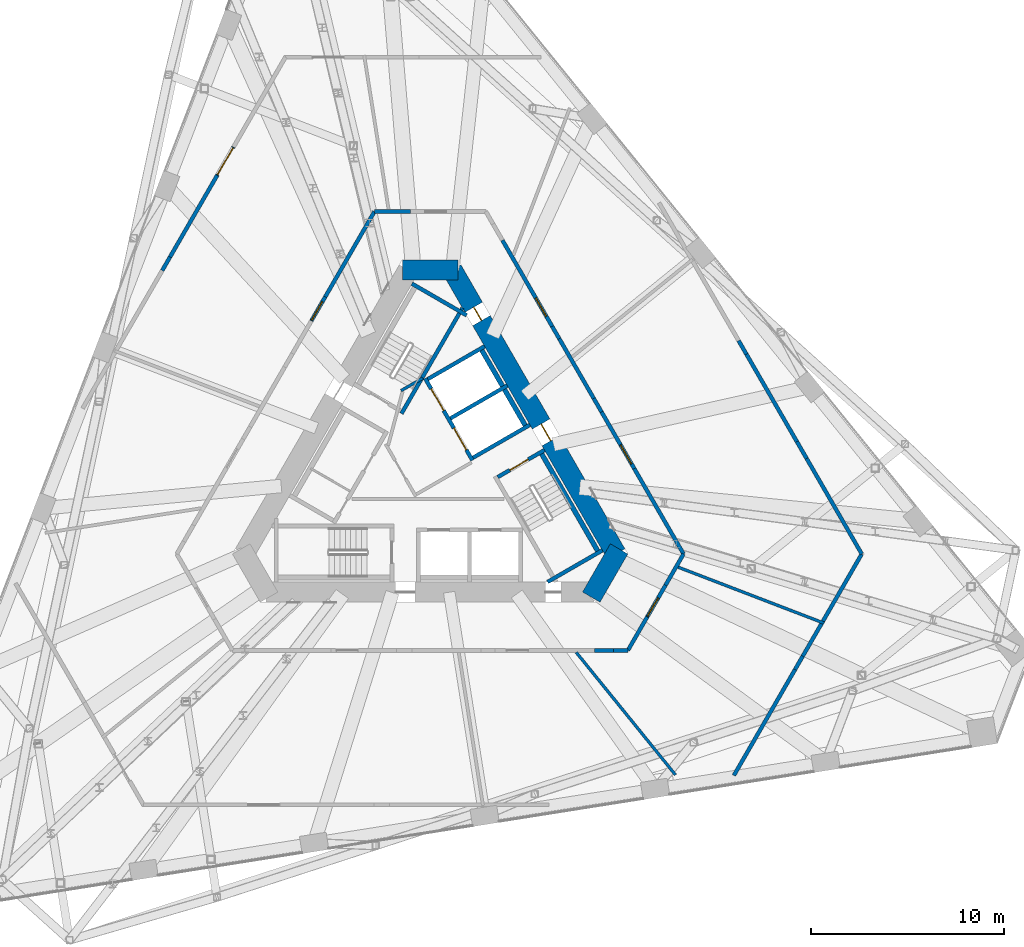
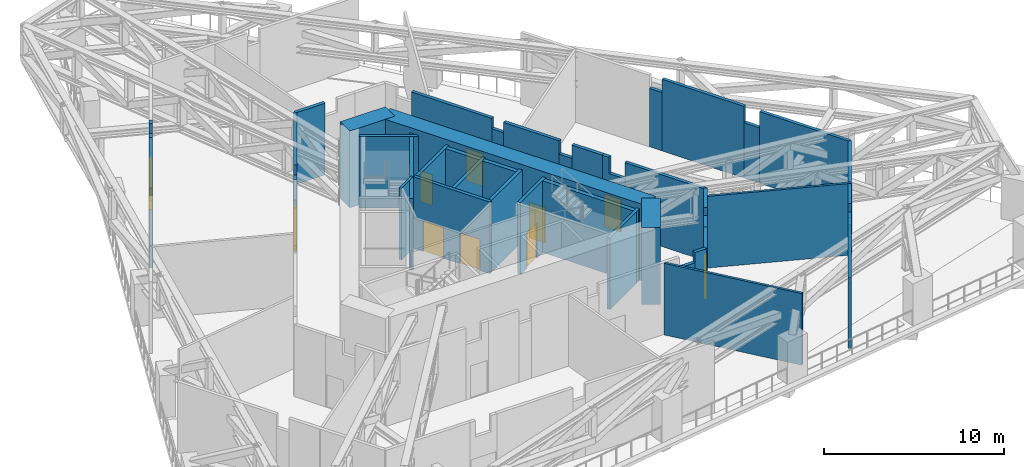
# One storey, part 12 of 20: 41 walls, 10 doors, 10 openings.
"""IFC4 building model written with IfcOpenShell, lengths in metres."""

from ifc_helpers import new_model, si_unit, direction, frame, frame_2d, origin, place, context, subcontext, project, spatial, polyline, rectangle, outline, extrude, material, layer, layer_set, type_object, element, fill, save


model = new_model("IFC4")

# Units and contexts
model_context = context("Model", 3, precision=1e-05, world=origin(), true_north=direction((0.0, 1.0)))
body_context = subcontext(model_context, "Body", "Model", "MODEL_VIEW")
ifc_project = project(units=[si_unit("LENGTHUNIT", "METRE"), si_unit("AREAUNIT", "SQUARE_METRE"), si_unit("VOLUMEUNIT", "CUBIC_METRE"), si_unit("PLANEANGLEUNIT", "RADIAN"), si_unit("MASSUNIT", "GRAM", prefix="KILO")], contexts=[model_context])

# Site, building, storey
site_placement = place(None, origin())
site = spatial("IfcSite", under=ifc_project, at=site_placement, CompositionType="ELEMENT")
building_placement = place(site_placement, origin())
building = spatial("IfcBuilding", under=site, at=building_placement, Name="Tramontana Tower", CompositionType="ELEMENT")
storey_placement = place(building_placement, frame((0.0, 0.0, 83.199951171875)))
storey = spatial("IfcBuildingStorey", under=building, at=storey_placement, Name="L18", CompositionType="ELEMENT", Elevation=83.199951171875)

# Walls
ifc_material_1 = material(Name="Concrete 70 MPa", Category="concrete")
ifc_layer_1 = layer(ifc_material_1, 1.050048828125)
ifc_layer_set_1 = layer_set([ifc_layer_1], Name="Core wall 1050 70 MPa")
wall_type_1 = type_object("IfcWallType", Name="Core wall 1050 70 MPa", PredefinedType="SHEAR", material=ifc_layer_set_1)
for number, where, z_axis, x_axis, name in (
    (1, (1.443359375, 10.47509765625, 0.0), (0.0, 0.0, 1.0), (-1.0, 0.0, 0.0), "Core wall C0 L18"),
    (2, (8.349853515625, -6.487548828125, 0.0), (0.0, 0.0, 1.0), (0.499995765644, 0.866027848477, 0.0), "Core wall C4 L18"),
):
    element("IfcWall", number, at=place(storey_placement, frame(where, z_axis=z_axis, x_axis=x_axis)), inside=storey, type_object=wall_type_1, Name=name, PredefinedType="SHEAR", context=body_context, shape_type="SweptSolid", body=[
        extrude(rectangle(XDim=2.88671875, YDim=1.050048828125, at=frame_2d((1.443359375, 0.0))), origin(), (0.0, 0.0, 1.0), 5.199951171875),
    ])

# Wall, openings, doors
wall_1_placement = place(storey_placement, frame((9.6416015625, -4.25, 0.0), z_axis=(0.0, 0.0, 1.0), x_axis=(-0.499985955615, 0.866033512162, 0.0)))
wall_1 = element("IfcWall", 3, at=wall_1_placement, inside=storey, type_object=wall_type_1, Name="Core wall C5 L18", PredefinedType="SHEAR", context=body_context, shape_type="SweptSolid", body=[
    extrude(rectangle(XDim=17.0029296875, YDim=1.050048828125, at=frame_2d((8.50146484375, 0.0))), origin(), (0.0, 0.0, 1.0), 5.199951171875),
])
opening_1_placement = place(wall_1_placement, frame((6.7763671875, 0.0, 0.0)))
opening_1 = element("IfcOpeningElement", 4, at=opening_1_placement, cuts=wall_1, Name="Opening RG3", PredefinedType="OPENING", context=body_context, shape_type="SweptSolid", body=[
    extrude(rectangle(XDim=1.0, YDim=2.39990234375, at=frame_2d((0.5, 1.199951171875))), frame((0.0, 0.534912109375, 0.0), z_axis=(0.0, -1.0, 0.0), x_axis=(1.0, 0.0, 0.0)), (0.0, 0.0, 1.0), 1.070068359375),
])
opening_2_placement = place(wall_1_placement, frame((13.966796875, 0.0, 0.0)))
opening_2 = element("IfcOpeningElement", 5, at=opening_2_placement, cuts=wall_1, Name="Opening PD3", PredefinedType="OPENING", context=body_context, shape_type="SweptSolid", body=[
    extrude(rectangle(XDim=0.800048828125, YDim=2.10009765625, at=frame_2d((0.39990234375, 1.050048828125))), frame((0.0, 0.534912109375, 0.0), z_axis=(0.0, -1.0, 0.0), x_axis=(1.0, 0.0, 0.0)), (0.0, 0.0, 1.0), 1.070068359375),
])
ifc_material_2 = material(Name="Painted steel", Category="steel")
door_type_1 = type_object("IfcDoorType", Name="CUPBOARD DOOR 800", OperationType="SINGLE_SWING_LEFT", PredefinedType="DOOR", material=ifc_material_2)
door_1_placement = place(opening_2_placement, origin())
door_1 = element("IfcDoor", 6, at=door_1_placement, inside=storey, type_object=door_type_1, Name="Door PD3", OperationType="SINGLE_SWING_RIGHT", OverallHeight=2.10009765625, OverallWidth=0.800048828125, PredefinedType="DOOR", context=body_context, shape_type="SweptSolid", body=[
    extrude(rectangle(XDim=0.800048828125, YDim=2.10009765625, at=frame_2d((0.39990234375, 1.050048828125))), frame((0.0, 0.02490234375, 0.0), z_axis=(0.0, -1.0, 0.0), x_axis=(1.0, 0.0, 0.0)), (0.0, 0.0, 1.0), 0.050048828125),
])
fill(opening_2, door_1)
ifc_material_3 = material(Name="Painted steel", Category="steel")
door_type_2 = type_object("IfcDoorType", Name="RING DOOR 1000", OperationType="SINGLE_SWING_LEFT", PredefinedType="DOOR", material=ifc_material_3)
door_2_placement = place(opening_1_placement, origin())
door_2 = element("IfcDoor", 7, at=door_2_placement, inside=storey, type_object=door_type_2, Name="Door RG3", OperationType="SINGLE_SWING_RIGHT", OverallHeight=2.39990234375, OverallWidth=1.0, PredefinedType="DOOR", context=body_context, shape_type="SweptSolid", body=[
    extrude(rectangle(XDim=1.0, YDim=2.39990234375, at=frame_2d((0.5, 1.199951171875))), frame((0.0, 0.02490234375, 0.0), z_axis=(0.0, -1.0, 0.0), x_axis=(1.0, 0.0, 0.0)), (0.0, 0.0, 1.0), 0.050048828125),
])
fill(opening_1, door_2)

# Walls
ifc_material_4 = material(Name="Blockwork", Category="masonry")
ifc_layer_2 = layer(ifc_material_4, 0.199951171875)
ifc_layer_set_2 = layer_set([ifc_layer_2], Name="ENCLOSURE WALL 200")
wall_type_2 = type_object("IfcWallType", Name="ENCLOSURE WALL 200", PredefinedType="SOLIDWALL", material=ifc_layer_set_2)
wall_2_placement = place(storey_placement, frame((15.98974609375, 6.80517578125, 0.0), z_axis=(0.0, 0.0, 1.0), x_axis=(0.499809598504, -0.866135304236, 0.0)))
element("IfcWall", 8, at=wall_2_placement, inside=storey, type_object=wall_type_2, Name="Wall enc0-1", PredefinedType="SOLIDWALL", context=body_context, shape_type="SweptSolid", body=[
    extrude(rectangle(XDim=0.808349609375, YDim=0.199951171875, at=frame_2d((0.404296875, 0.0))), origin(), (0.0, 0.0, 1.0), 3.949951171875),
])
wall_3_placement = place(storey_placement, frame((16.393798828125, 6.10498046875, 0.0), z_axis=(0.0, 0.0, 1.0), x_axis=(0.500017221754, -0.866015460572, 0.0)))
element("IfcWall", 9, at=wall_3_placement, inside=storey, type_object=wall_type_2, Name="Wall enc0-2", PredefinedType="SOLIDWALL", context=body_context, shape_type="SweptSolid", body=[
    extrude(rectangle(XDim=5.233642578125, YDim=0.199951171875, at=frame_2d((2.61669921875, 0.0))), origin(), (0.0, 0.0, 1.0), 4.85009765625),
])
wall_4_placement = place(storey_placement, frame((19.0107421875, 1.572509765625, 0.0), z_axis=(0.0, 0.0, 1.0), x_axis=(0.499869422298, -0.866100779731, 0.0)))
element("IfcWall", 10, at=wall_4_placement, inside=storey, type_object=wall_type_2, Name="Wall enc0-3", PredefinedType="SOLIDWALL", context=body_context, shape_type="SweptSolid", body=[
    extrude(rectangle(XDim=1.006591796875, YDim=0.199951171875, at=frame_2d((0.50341796875, 0.0))), origin(), (0.0, 0.0, 1.0), 3.75),
])
wall_5_placement = place(storey_placement, frame((19.513916015625, 0.70068359375, 0.0), z_axis=(0.0, 0.0, 1.0), x_axis=(0.50001573457, -0.866016319236, 0.0)))
element("IfcWall", 11, at=wall_5_placement, inside=storey, type_object=wall_type_2, Name="Wall enc0-4", PredefinedType="SOLIDWALL", context=body_context, shape_type="SweptSolid", body=[
    extrude(rectangle(XDim=5.716552734375, YDim=0.199951171875, at=frame_2d((2.8583984375, 0.0))), origin(), (0.0, 0.0, 1.0), 4.85009765625),
])
wall_6_placement = place(storey_placement, frame((22.372314453125, -4.25, 0.0), z_axis=(0.0, 0.0, 1.0), x_axis=(-0.499991792115, -0.866030142557, 0.0)))
element("IfcWall", 12, at=wall_6_placement, inside=storey, type_object=wall_type_2, Name="Wall enc1-0", PredefinedType="SOLIDWALL", context=body_context, shape_type="SweptSolid", body=[
    extrude(rectangle(XDim=6.1201171875, YDim=0.199951171875, at=frame_2d((3.06005859375, 0.0))), origin(), (0.0, 0.0, 1.0), 4.85009765625),
])
wall_7_placement = place(storey_placement, frame((19.312255859375, -9.55029296875, 0.0), z_axis=(0.0, 0.0, 1.0), x_axis=(-0.499942357345, -0.866058681229, 0.0)))
element("IfcWall", 13, at=wall_7_placement, inside=storey, type_object=wall_type_2, Name="Wall enc1-1", PredefinedType="SOLIDWALL", context=body_context, shape_type="SweptSolid", body=[
    extrude(rectangle(XDim=0.80078125, YDim=0.199951171875, at=frame_2d((0.400390625, 0.0))), origin(), (0.0, 0.0, 1.0), 3.949951171875),
])
wall_8_placement = place(storey_placement, frame((18.911865234375, -10.243896484375, 0.0), z_axis=(0.0, 0.0, 1.0), x_axis=(-0.500018208694, -0.866014890735, 0.0)))
element("IfcWall", 14, at=wall_8_placement, inside=storey, type_object=wall_type_2, Name="Wall enc1-2", PredefinedType="SOLIDWALL", context=body_context, shape_type="SweptSolid", body=[
    extrude(rectangle(XDim=6.335693359375, YDim=0.199951171875, at=frame_2d((3.16796875, 0.0))), origin(), (0.0, 0.0, 1.0), 4.85009765625),
])
wall_9_placement = place(storey_placement, frame((-13.88818359375, 10.44482421875, 0.0), z_axis=(0.0, 0.0, 1.0), x_axis=(0.499809598504, 0.866135304236, 0.0)))
element("IfcWall", 15, at=wall_9_placement, inside=storey, type_object=wall_type_2, Name="Wall enc4-1", PredefinedType="SOLIDWALL", context=body_context, shape_type="SweptSolid", body=[
    extrude(rectangle(XDim=0.808349609375, YDim=0.199951171875, at=frame_2d((0.404296875, 0.0))), origin(), (0.0, 0.0, 1.0), 3.949951171875),
])
wall_10_placement = place(storey_placement, frame((-13.484130859375, 11.14501953125, 0.0), z_axis=(0.0, 0.0, 1.0), x_axis=(0.500012559894, 0.866018152205, 0.0)))
element("IfcWall", 16, at=wall_10_placement, inside=storey, type_object=wall_type_2, Name="Wall enc4-2", PredefinedType="SOLIDWALL", context=body_context, shape_type="SweptSolid", body=[
    extrude(rectangle(XDim=4.880615234375, YDim=0.199951171875, at=frame_2d((2.4404296875, 0.0))), origin(), (0.0, 0.0, 1.0), 4.85009765625),
])

# Wall, opening, door
wall_11_placement = place(storey_placement, frame((-11.043701171875, 15.371826171875, 0.0), z_axis=(0.0, 0.0, 1.0), x_axis=(0.500062241894, 0.865989465428, 0.0)))
wall_11 = element("IfcWall", 17, at=wall_11_placement, inside=storey, type_object=wall_type_2, Name="Wall enc4-3", PredefinedType="SOLIDWALL", context=body_context, shape_type="SweptSolid", body=[
    extrude(outline(polyline([(0.0, 0.0), (1.699951171875, 0.0), (1.699951171875, 4.85009765625), (1.359619140625, 4.85009765625), (1.359619140625, 3.75), (0.35302734375, 3.75), (0.35302734375, 4.85009765625), (0.0, 4.85009765625), (0.0, 0.0)])), frame((0.0, 0.10009765625, 0.0), z_axis=(0.0, -1.0, 0.0), x_axis=(1.0, 0.0, 0.0)), (0.0, 0.0, 1.0), 0.199951171875),
])
opening_3_placement = place(wall_11_placement, frame((0.050048828125, 0.0, 0.0)))
opening_3 = element("IfcOpeningElement", 18, at=opening_3_placement, cuts=wall_11, Name="Opening L18-10", PredefinedType="OPENING", context=body_context, shape_type="SweptSolid", body=[
    extrude(rectangle(XDim=1.60009765625, YDim=2.300048828125, at=frame_2d((0.800048828125, 1.14990234375))), frame((0.0, 0.10986328125, 0.0), z_axis=(0.0, -1.0, 0.0), x_axis=(1.0, 0.0, 0.0)), (0.0, 0.0, 1.0), 0.219970703125),
])
ifc_material_5 = material(Name="Painted timber", Category="wood")
door_type_3 = type_object("IfcDoorType", Name="DOOR WIDE 1600", OperationType="SINGLE_SWING_LEFT", PredefinedType="DOOR", material=ifc_material_5)
door_3_placement = place(opening_3_placement, origin())
door_3 = element("IfcDoor", 19, at=door_3_placement, inside=storey, type_object=door_type_3, Name="Door L18-10", OperationType="DOUBLE_DOOR_SINGLE_SWING", OverallHeight=2.300048828125, OverallWidth=1.60009765625, PredefinedType="DOOR", context=body_context, shape_type="SweptSolid", body=[
    extrude(rectangle(XDim=1.60009765625, YDim=2.300048828125, at=frame_2d((0.800048828125, 1.14990234375))), frame((0.0, 0.02490234375, 0.0), z_axis=(0.0, -1.0, 0.0), x_axis=(1.0, 0.0, 0.0)), (0.0, 0.0, 1.0), 0.050048828125),
])
fill(opening_3, door_3)

ifc_material_6 = material(Name="Blockwork", Category="masonry")
ifc_layer_3 = layer(ifc_material_6, 0.199951171875)
ifc_layer_set_3 = layer_set([ifc_layer_3], Name="ENTRY WALL 200")
wall_type_3 = type_object("IfcWallType", Name="ENTRY WALL 200", PredefinedType="SOLIDWALL", material=ifc_layer_set_3)
wall_12_placement = place(storey_placement, frame((3.747314453125, 12.009521484375, 0.0), z_axis=(0.0, 0.0, 1.0), x_axis=(0.500001317485, -0.866024643133, 0.0)))
wall_12 = element("IfcWall", 20, at=wall_12_placement, inside=storey, type_object=wall_type_3, Name="Wall ew0-2", PredefinedType="SOLIDWALL", context=body_context, shape_type="SweptSolid", body=[
    extrude(rectangle(XDim=5.1533203125, YDim=0.199951171875, at=frame_2d((2.57666015625, 0.0))), origin(), (0.0, 0.0, 1.0), 4.85009765625),
])
opening_4_placement = place(wall_12_placement, frame((3.45068359375, 0.0, 0.0)))
opening_4 = element("IfcOpeningElement", 21, at=opening_4_placement, cuts=wall_12, Name="Opening L18-08", PredefinedType="OPENING", context=body_context, shape_type="SweptSolid", body=[
    extrude(rectangle(XDim=1.10009765625, YDim=2.199951171875, at=frame_2d((0.550048828125, 1.10009765625))), frame((0.0, 0.10986328125, 0.0), z_axis=(0.0, -1.0, 0.0), x_axis=(1.0, 0.0, 0.0)), (0.0, 0.0, 1.0), 0.219970703125),
])
ifc_material_7 = material(Name="Painted steel", Category="steel")
door_type_4 = type_object("IfcDoorType", Name="PLANT DOOR 1100", OperationType="SINGLE_SWING_LEFT", PredefinedType="DOOR", material=ifc_material_7)
door_4_placement = place(opening_4_placement, origin())
door_4 = element("IfcDoor", 22, at=door_4_placement, inside=storey, type_object=door_type_4, Name="Door L18-08", OperationType="SINGLE_SWING_RIGHT", OverallHeight=2.199951171875, OverallWidth=1.10009765625, PredefinedType="DOOR", context=body_context, shape_type="SweptSolid", body=[
    extrude(rectangle(XDim=1.10009765625, YDim=2.199951171875, at=frame_2d((0.550048828125, 1.10009765625))), frame((0.0, 0.02490234375, 0.0), z_axis=(0.0, -1.0, 0.0), x_axis=(1.0, 0.0, 0.0)), (0.0, 0.0, 1.0), 0.050048828125),
])
fill(opening_4, door_4)

# Walls
wall_13_placement = place(storey_placement, frame((6.323974609375, 7.546630859375, 0.0), z_axis=(0.0, 0.0, 1.0), x_axis=(0.499885169746, -0.866091690913, 0.0)))
element("IfcWall", 23, at=wall_13_placement, inside=storey, type_object=wall_type_3, Name="Wall ew0-3", PredefinedType="SOLIDWALL", context=body_context, shape_type="SweptSolid", body=[
    extrude(rectangle(XDim=0.736083984375, YDim=0.199951171875, at=frame_2d((0.3681640625, 0.0))), origin(), (0.0, 0.0, 1.0), 4.150146484375),
])
wall_14_placement = place(storey_placement, frame((6.69189453125, 6.9091796875, 0.0), z_axis=(0.0, 0.0, 1.0), x_axis=(0.500029679218, -0.866008267802, 0.0)))
element("IfcWall", 24, at=wall_14_placement, inside=storey, type_object=wall_type_3, Name="Wall ew0-4", PredefinedType="SOLIDWALL", context=body_context, shape_type="SweptSolid", body=[
    extrude(rectangle(XDim=3.576904296875, YDim=0.199951171875, at=frame_2d((1.78857421875, 0.0))), origin(), (0.0, 0.0, 1.0), 4.85009765625),
])
wall_15_placement = place(storey_placement, frame((8.48046875, 3.8115234375, 0.0), z_axis=(0.0, 0.0, 1.0), x_axis=(0.499809598504, -0.866135304236, 0.0)))
element("IfcWall", 25, at=wall_15_placement, inside=storey, type_object=wall_type_3, Name="Wall ew0-5", PredefinedType="SOLIDWALL", context=body_context, shape_type="SweptSolid", body=[
    extrude(rectangle(XDim=0.808349609375, YDim=0.199951171875, at=frame_2d((0.404296875, 0.0))), origin(), (0.0, 0.0, 1.0), 3.949951171875),
])
wall_16_placement = place(storey_placement, frame((8.884521484375, 3.111328125, 0.0), z_axis=(0.0, 0.0, 1.0), x_axis=(0.500061185694, -0.865990075325, 0.0)))
element("IfcWall", 26, at=wall_16_placement, inside=storey, type_object=wall_type_3, Name="Wall ew0-6", PredefinedType="SOLIDWALL", context=body_context, shape_type="SweptSolid", body=[
    extrude(rectangle(XDim=1.954833984375, YDim=0.199951171875, at=frame_2d((0.9775390625, 0.0))), origin(), (0.0, 0.0, 1.0), 4.85009765625),
])

# Wall, opening, door
wall_17_placement = place(storey_placement, frame((9.862060546875, 1.41845703125, 0.0), z_axis=(0.0, 0.0, 1.0), x_axis=(0.500011588718, -0.866018712932, 0.0)))
wall_17 = element("IfcWall", 27, at=wall_17_placement, inside=storey, type_object=wall_type_3, Name="Wall ew0-7", PredefinedType="SOLIDWALL", context=body_context, shape_type="SweptSolid", body=[
    extrude(outline(polyline([(0.0, 0.0), (1.4375, 0.0), (1.437255859375, 3.75), (0.4306640625, 3.75), (0.4306640625, 4.85009765625), (0.0, 4.85009765625), (0.0, 0.0)])), frame((0.0, 0.10009765625, 0.0), z_axis=(0.0, -1.0, 0.0), x_axis=(1.0, 0.0, 0.0)), (0.0, 0.0, 1.0), 0.199951171875),
])
opening_5_placement = place(wall_17_placement, frame((0.050048828125, 0.0, 0.0)))
opening_5 = element("IfcOpeningElement", 28, at=opening_5_placement, cuts=wall_17, Name="Opening L18-07", PredefinedType="OPENING", context=body_context, shape_type="SweptSolid", body=[
    extrude(rectangle(XDim=1.10009765625, YDim=2.199951171875, at=frame_2d((0.550048828125, 1.10009765625))), frame((0.0, 0.10986328125, 0.0), z_axis=(0.0, -1.0, 0.0), x_axis=(1.0, 0.0, 0.0)), (0.0, 0.0, 1.0), 0.219970703125),
])
door_5_placement = place(opening_5_placement, origin())
door_5 = element("IfcDoor", 29, at=door_5_placement, inside=storey, type_object=door_type_4, Name="Door L18-07", OperationType="SINGLE_SWING_LEFT", OverallHeight=2.199951171875, OverallWidth=1.10009765625, PredefinedType="DOOR", context=body_context, shape_type="SweptSolid", body=[
    extrude(rectangle(XDim=1.10009765625, YDim=2.199951171875, at=frame_2d((0.550048828125, 1.10009765625))), frame((0.0, 0.02490234375, 0.0), z_axis=(0.0, -1.0, 0.0), x_axis=(1.0, 0.0, 0.0)), (0.0, 0.0, 1.0), 0.050048828125),
])
fill(opening_5, door_5)

# Walls
wall_18_placement = place(storey_placement, frame((10.580810546875, 0.173583984375, 0.0), z_axis=(0.0, 0.0, 1.0), x_axis=(0.499999658466, -0.866025600969, 0.0)))
element("IfcWall", 30, at=wall_18_placement, inside=storey, type_object=wall_type_3, Name="Wall ew0-8", PredefinedType="SOLIDWALL", context=body_context, shape_type="SweptSolid", body=[
    extrude(rectangle(XDim=5.10791015625, YDim=0.199951171875, at=frame_2d((2.553955078125, 0.0))), origin(), (0.0, 0.0, 1.0), 4.85009765625),
])
wall_19_placement = place(storey_placement, frame((13.134765625, -4.25, 0.0), z_axis=(0.0, 0.0, 1.0), x_axis=(-0.500046767532, -0.865998400854, 0.0)))
element("IfcWall", 31, at=wall_19_placement, inside=storey, type_object=wall_type_3, Name="Wall ew1-0", PredefinedType="SOLIDWALL", context=body_context, shape_type="SweptSolid", body=[
    extrude(rectangle(XDim=1.867919921875, YDim=0.199951171875, at=frame_2d((0.93408203125, 0.0))), origin(), (0.0, 0.0, 1.0), 4.85009765625),
])

# Wall, opening, door
wall_20_placement = place(storey_placement, frame((12.20068359375, -5.86767578125, 0.0), z_axis=(0.0, 0.0, 1.0), x_axis=(-0.499999897272, -0.866025463095, 0.0)))
wall_20 = element("IfcWall", 32, at=wall_20_placement, inside=storey, type_object=wall_type_3, Name="Wall ew1-1", PredefinedType="SOLIDWALL", context=body_context, shape_type="SweptSolid", body=[
    extrude(outline(polyline([(0.0, 0.0), (1.904296875, 0.0), (1.904541015625, 4.85009765625), (0.80078125, 4.85009765625), (0.80078125, 3.949951171875), (0.0, 3.949951171875), (0.0, 0.0)])), frame((0.0, 0.10009765625, 0.0), z_axis=(0.0, -1.0, 0.0), x_axis=(1.0, 0.0, 0.0)), (0.0, 0.0, 1.0), 0.199951171875),
])
opening_6_placement = place(wall_20_placement, frame((0.75439453125, 0.0, 0.0)))
opening_6 = element("IfcOpeningElement", 33, at=opening_6_placement, cuts=wall_20, Name="Opening L18-06", PredefinedType="OPENING", context=body_context, shape_type="SweptSolid", body=[
    extrude(rectangle(XDim=1.10009765625, YDim=2.199951171875, at=frame_2d((0.550048828125, 1.10009765625))), frame((0.0, 0.10986328125, 0.0), z_axis=(0.0, -1.0, 0.0), x_axis=(1.0, 0.0, 0.0)), (0.0, 0.0, 1.0), 0.219970703125),
])
door_6_placement = place(opening_6_placement, origin())
door_6 = element("IfcDoor", 34, at=door_6_placement, inside=storey, type_object=door_type_4, Name="Door L18-06", OperationType="SINGLE_SWING_RIGHT", OverallHeight=2.199951171875, OverallWidth=1.10009765625, PredefinedType="DOOR", context=body_context, shape_type="SweptSolid", body=[
    extrude(rectangle(XDim=1.10009765625, YDim=2.199951171875, at=frame_2d((0.550048828125, 1.10009765625))), frame((0.0, 0.02490234375, 0.0), z_axis=(0.0, -1.0, 0.0), x_axis=(1.0, 0.0, 0.0)), (0.0, 0.0, 1.0), 0.050048828125),
])
fill(opening_6, door_6)

# Walls
wall_21_placement = place(storey_placement, frame((11.24853515625, -7.516845703125, 0.0), z_axis=(0.0, 0.0, 1.0), x_axis=(-0.499944225447, -0.866057602843, 0.0)))
element("IfcWall", 35, at=wall_21_placement, inside=storey, type_object=wall_type_3, Name="Wall ew1-2", PredefinedType="SOLIDWALL", context=body_context, shape_type="SweptSolid", body=[
    extrude(rectangle(XDim=2.001220703125, YDim=0.199951171875, at=frame_2d((1.00048828125, 0.0))), origin(), (0.0, 0.0, 1.0), 4.85009765625),
])
wall_22_placement = place(storey_placement, frame((10.248046875, -9.25, 0.0), z_axis=(0.0, 0.0, 1.0), x_axis=(-1.0, 0.0, 0.0)))
element("IfcWall", 36, at=wall_22_placement, inside=storey, type_object=wall_type_3, Name="Wall ew2-0", PredefinedType="SOLIDWALL", context=body_context, shape_type="SweptSolid", body=[
    extrude(rectangle(XDim=0.74365234375, YDim=0.199951171875, at=frame_2d((0.371826171875, 0.0))), origin(), (0.0, 0.0, 1.0), 4.85009765625),
])
wall_23_placement = place(storey_placement, frame((9.50439453125, -9.25, 0.0), z_axis=(0.0, 0.0, 1.0), x_axis=(-1.0, 0.0, 0.0)))
element("IfcWall", 37, at=wall_23_placement, inside=storey, type_object=wall_type_3, Name="Wall ew2-1", PredefinedType="SOLIDWALL", context=body_context, shape_type="SweptSolid", body=[
    extrude(rectangle(XDim=0.9775390625, YDim=0.199951171875, at=frame_2d((0.48876953125, 0.0))), origin(), (0.0, 0.0, 1.0), 4.150146484375),
])

# Wall, opening, door
wall_24_placement = place(storey_placement, frame((-6.159423828125, 7.83154296875, 0.0), z_axis=(0.0, 0.0, 1.0), x_axis=(0.500011588718, 0.866018712932, 0.0)))
wall_24 = element("IfcWall", 38, at=wall_24_placement, inside=storey, type_object=wall_type_3, Name="Wall ew4-7", PredefinedType="SOLIDWALL", context=body_context, shape_type="SweptSolid", body=[
    extrude(outline(polyline([(0.0, 0.0), (1.4375, 0.0), (1.437255859375, 3.75), (0.4306640625, 3.75), (0.4306640625, 4.85009765625), (0.0, 4.85009765625), (0.0, 0.0)])), frame((0.0, 0.10009765625, 0.0), z_axis=(0.0, -1.0, 0.0), x_axis=(1.0, 0.0, 0.0)), (0.0, 0.0, 1.0), 0.199951171875),
])
opening_7_placement = place(wall_24_placement, frame((0.050048828125, 0.0, 0.0)))
opening_7 = element("IfcOpeningElement", 39, at=opening_7_placement, cuts=wall_24, Name="Opening L18-01", PredefinedType="OPENING", context=body_context, shape_type="SweptSolid", body=[
    extrude(rectangle(XDim=1.10009765625, YDim=2.199951171875, at=frame_2d((0.550048828125, 1.10009765625))), frame((0.0, 0.10986328125, 0.0), z_axis=(0.0, -1.0, 0.0), x_axis=(1.0, 0.0, 0.0)), (0.0, 0.0, 1.0), 0.219970703125),
])
door_7_placement = place(opening_7_placement, origin())
door_7 = element("IfcDoor", 40, at=door_7_placement, inside=storey, type_object=door_type_4, Name="Door L18-01", OperationType="SINGLE_SWING_LEFT", OverallHeight=2.199951171875, OverallWidth=1.10009765625, PredefinedType="DOOR", context=body_context, shape_type="SweptSolid", body=[
    extrude(rectangle(XDim=1.10009765625, YDim=2.199951171875, at=frame_2d((0.550048828125, 1.10009765625))), frame((0.0, 0.02490234375, 0.0), z_axis=(0.0, -1.0, 0.0), x_axis=(1.0, 0.0, 0.0)), (0.0, 0.0, 1.0), 0.050048828125),
])
fill(opening_7, door_7)

# Walls
wall_25_placement = place(storey_placement, frame((-5.440673828125, 9.076416015625, 0.0), z_axis=(0.0, 0.0, 1.0), x_axis=(0.499999658466, 0.866025600969, 0.0)))
element("IfcWall", 41, at=wall_25_placement, inside=storey, type_object=wall_type_3, Name="Wall ew4-8", PredefinedType="SOLIDWALL", context=body_context, shape_type="SweptSolid", body=[
    extrude(rectangle(XDim=5.10791015625, YDim=0.199951171875, at=frame_2d((2.553955078125, 0.0))), origin(), (0.0, 0.0, 1.0), 4.85009765625),
])
wall_26_placement = place(storey_placement, frame((-2.88671875, 13.5, 0.0), z_axis=(0.0, 0.0, 1.0), x_axis=(1.0, 0.0, 0.0)))
element("IfcWall", 42, at=wall_26_placement, inside=storey, type_object=wall_type_3, Name="Wall ew5-0", PredefinedType="SOLIDWALL", context=body_context, shape_type="SweptSolid", body=[
    extrude(rectangle(XDim=1.867919921875, YDim=0.199951171875, at=frame_2d((0.93408203125, 0.0))), origin(), (0.0, 0.0, 1.0), 4.85009765625),
])
ifc_material_8 = material(Name="Gypsum board partition")
ifc_layer_4 = layer(ifc_material_8, 0.14990234375)
ifc_layer_set_4 = layer_set([ifc_layer_4], Name="PARTITION 150")
wall_type_4 = type_object("IfcWallType", Name="PARTITION 150", PredefinedType="PARTITIONING", material=ifc_layer_set_4)
wall_27_placement = place(storey_placement, frame((-1.509765625, 4.21484375, 0.0), z_axis=(0.0, 0.0, 1.0), x_axis=(0.866085525409, 0.49989585183, 0.0)))
element("IfcWall", 43, at=wall_27_placement, inside=storey, type_object=wall_type_4, Name="Wall ff-end1", PredefinedType="PARTITIONING", context=body_context, shape_type="SweptSolid", body=[
    extrude(rectangle(XDim=1.300048828125, YDim=0.14990234375, at=frame_2d((0.64990234375, 0.0))), origin(), (0.0, 0.0, 1.0), 4.85009765625),
])
wall_28_placement = place(storey_placement, frame((7.571533203125, -9.35009765625, 0.0), z_axis=(0.0, 0.0, 1.0), x_axis=(0.629312469403, -0.777152376213, 0.0)))
element("IfcWall", 44, at=wall_28_placement, inside=storey, type_object=wall_type_4, Name="Wall fw-pw07", PredefinedType="PARTITIONING", context=body_context, shape_type="SweptSolid", body=[
    extrude(rectangle(XDim=8.176025390625, YDim=0.14990234375, at=frame_2d((4.087890625, 0.0))), origin(), (0.0, 0.0, 1.0), 4.85009765625),
])
wall_29_placement = place(storey_placement, frame((12.85498046875, -4.9345703125, 0.0), z_axis=(0.0, 0.0, 1.0), x_axis=(0.933584669528, -0.358356895878, 0.0)))
element("IfcWall", 45, at=wall_29_placement, inside=storey, type_object=wall_type_4, Name="Wall fw-pw08", PredefinedType="PARTITIONING", context=body_context, shape_type="SweptSolid", body=[
    extrude(rectangle(XDim=8.099609375, YDim=0.14990234375, at=frame_2d((4.0498046875, 0.0))), origin(), (0.0, 0.0, 1.0), 4.85009765625),
])
ifc_material_9 = material(Name="Concrete 70 MPa", Category="concrete")
ifc_layer_5 = layer(ifc_material_9, 0.25)
ifc_layer_set_5 = layer_set([ifc_layer_5], Name="Concrete 70 MPa, 250 mm")
wall_type_5 = type_object("IfcWallType", Name="RC SHAFT BACK WALL 250", PredefinedType="SOLIDWALL", material=ifc_layer_set_5)
wall_30_placement = place(storey_placement, frame((8.781494140625, -4.260009765625, 0.0), z_axis=(0.0, 0.0, 1.0), x_axis=(-0.500009909098, 0.866019682689, 0.0)))
element("IfcWall", 46, at=wall_30_placement, inside=storey, type_object=wall_type_5, Name="Wall st3-back", PredefinedType="SOLIDWALL", context=body_context, shape_type="SweptSolid", body=[
    extrude(rectangle(XDim=6.199951171875, YDim=0.25, at=frame_2d((3.10009765625, 0.0))), origin(), (0.0, 0.0, 1.0), 4.85009765625),
])
wall_31_placement = place(storey_placement, frame((5.0263671875, 2.243896484375, 0.0), z_axis=(0.0, 0.0, 1.0), x_axis=(-0.500002801628, 0.866023786258, 0.0)))
element("IfcWall", 47, at=wall_31_placement, inside=storey, type_object=wall_type_5, Name="Wall row2-back", PredefinedType="SOLIDWALL", context=body_context, shape_type="SweptSolid", body=[
    extrude(rectangle(XDim=4.89990234375, YDim=0.25, at=frame_2d((2.449951171875, 0.0))), origin(), (0.0, 0.0, 1.0), 4.85009765625),
])
ifc_material_10 = material(Name="Concrete 70 MPa", Category="concrete")
ifc_layer_6 = layer(ifc_material_10, 0.199951171875)
ifc_layer_set_6 = layer_set([ifc_layer_6], Name="Concrete 70 MPa, 200 mm")
wall_type_6 = type_object("IfcWallType", Name="RC STAIR AND SHAFT WALL 200", PredefinedType="SOLIDWALL", material=ifc_layer_set_6)
wall_32_placement = place(storey_placement, frame((1.67431640625, 8.5, 0.0), z_axis=(0.0, 0.0, 1.0), x_axis=(-0.499995607161, -0.866027939976, 0.0)))
element("IfcWall", 48, at=wall_32_placement, inside=storey, type_object=wall_type_6, Name="Wall st1-front", PredefinedType="SOLIDWALL", context=body_context, shape_type="SweptSolid", body=[
    extrude(rectangle(XDim=6.318359375, YDim=0.199951171875, at=frame_2d((3.1591796875, 0.0))), origin(), (0.0, 0.0, 1.0), 4.85009765625),
])
for number, where, z_axis, x_axis, name in (
    (49, (1.892578125, 8.121826171875, 0.0), (0.0, 0.0, 1.0), (-0.866006986733, 0.500031897912, 0.0), "Wall st1-far"),
    (50, (6.08740234375, -5.699951171875, 0.0), (0.0, 0.0, 1.0), (0.866006986733, 0.500031897912, 0.0), "Wall st3-far"),
):
    element("IfcWall", number, at=place(storey_placement, frame(where, z_axis=z_axis, x_axis=x_axis)), inside=storey, type_object=wall_type_6, Name=name, PredefinedType="SOLIDWALL", context=body_context, shape_type="SweptSolid", body=[
        extrude(rectangle(XDim=3.278076171875, YDim=0.199951171875, at=frame_2d((1.63916015625, 0.0))), origin(), (0.0, 0.0, 1.0), 4.85009765625),
    ])

# Wall, opening, door
wall_33_placement = place(storey_placement, frame((3.50146484375, -0.2646484375, 0.0), z_axis=(0.0, 0.0, 1.0), x_axis=(0.866034573852, 0.49998411664, 0.0)))
wall_33 = element("IfcWall", 51, at=wall_33_placement, inside=storey, type_object=wall_type_6, Name="Wall st3-near", PredefinedType="SOLIDWALL", context=body_context, shape_type="SweptSolid", body=[
    extrude(rectangle(XDim=2.7998046875, YDim=0.199951171875, at=frame_2d((1.39990234375, 0.0))), origin(), (0.0, 0.0, 1.0), 4.85009765625),
])
opening_8_placement = place(wall_33_placement, frame((0.72509765625, 0.0, 0.0)))
opening_8 = element("IfcOpeningElement", 52, at=opening_8_placement, cuts=wall_33, Name="Opening SD3", PredefinedType="OPENING", context=body_context, shape_type="SweptSolid", body=[
    extrude(rectangle(XDim=1.10009765625, YDim=2.39990234375, at=frame_2d((0.550048828125, 1.199951171875))), frame((0.0, 0.10986328125, 0.0), z_axis=(0.0, -1.0, 0.0), x_axis=(1.0, 0.0, 0.0)), (0.0, 0.0, 1.0), 0.219970703125),
])
ifc_material_11 = material(Name="Painted steel", Category="steel")
door_type_5 = type_object("IfcDoorType", Name="STAIR DOOR 1100", OperationType="SINGLE_SWING_LEFT", PredefinedType="DOOR", material=ifc_material_11)
door_8_placement = place(opening_8_placement, origin())
door_8 = element("IfcDoor", 53, at=door_8_placement, inside=storey, type_object=door_type_5, Name="Door SD3", OperationType="SINGLE_SWING_RIGHT", OverallHeight=2.39990234375, OverallWidth=1.10009765625, PredefinedType="DOOR", context=body_context, shape_type="SweptSolid", body=[
    extrude(rectangle(XDim=1.10009765625, YDim=2.39990234375, at=frame_2d((0.550048828125, 1.199951171875))), frame((0.0, 0.02490234375, 0.0), z_axis=(0.0, -1.0, 0.0), x_axis=(1.0, 0.0, 0.0)), (0.0, 0.0, 1.0), 0.050048828125),
])
fill(opening_8, door_8)

# Wall, openings, doors
wall_34_placement = place(storey_placement, frame((2.190185546875, 0.6064453125, 0.0), z_axis=(0.0, 0.0, 1.0), x_axis=(-0.500002801628, 0.866023786258, 0.0)))
wall_34 = element("IfcWall", 54, at=wall_34_placement, inside=storey, type_object=wall_type_6, Name="Wall row2-front", PredefinedType="SOLIDWALL", context=body_context, shape_type="SweptSolid", body=[
    extrude(rectangle(XDim=4.89990234375, YDim=0.199951171875, at=frame_2d((2.449951171875, 0.0))), origin(), (0.0, 0.0, 1.0), 4.85009765625),
])
opening_9_placement = place(wall_34_placement, frame((0.625, 0.0, 0.0)))
opening_9 = element("IfcOpeningElement", 55, at=opening_9_placement, cuts=wall_34, Name="Opening LD-F1", PredefinedType="OPENING", context=body_context, shape_type="SweptSolid", body=[
    extrude(rectangle(XDim=1.300048828125, YDim=2.10009765625, at=frame_2d((0.64990234375, 1.050048828125))), frame((0.0, 0.10986328125, 0.0), z_axis=(0.0, -1.0, 0.0), x_axis=(1.0, 0.0, 0.0)), (0.0, 0.0, 1.0), 0.219970703125),
])
opening_10_placement = place(wall_34_placement, frame((2.97509765625, 0.0, 0.0)))
opening_10 = element("IfcOpeningElement", 56, at=opening_10_placement, cuts=wall_34, Name="Opening LD-F2", PredefinedType="OPENING", context=body_context, shape_type="SweptSolid", body=[
    extrude(rectangle(XDim=1.300048828125, YDim=2.10009765625, at=frame_2d((0.64990234375, 1.050048828125))), frame((0.0, 0.10986328125, 0.0), z_axis=(0.0, -1.0, 0.0), x_axis=(1.0, 0.0, 0.0)), (0.0, 0.0, 1.0), 0.219970703125),
])
ifc_material_12 = material(Name="Brushed steel", Category="steel")
door_type_6 = type_object("IfcDoorType", Name="LANDING DOOR 1300", OperationType="SINGLE_SWING_LEFT", PredefinedType="DOOR", material=ifc_material_12)
door_9_placement = place(opening_9_placement, origin())
door_9 = element("IfcDoor", 57, at=door_9_placement, inside=storey, type_object=door_type_6, Name="Door LD-F1", OperationType="SLIDING_TO_LEFT", OverallHeight=2.10009765625, OverallWidth=1.300048828125, PredefinedType="DOOR", context=body_context, shape_type="SweptSolid", body=[
    extrude(rectangle(XDim=1.300048828125, YDim=2.10009765625, at=frame_2d((0.64990234375, 1.050048828125))), frame((0.0, 0.02490234375, 0.0), z_axis=(0.0, -1.0, 0.0), x_axis=(1.0, 0.0, 0.0)), (0.0, 0.0, 1.0), 0.050048828125),
])
fill(opening_9, door_9)
door_10_placement = place(opening_10_placement, origin())
door_10 = element("IfcDoor", 58, at=door_10_placement, inside=storey, type_object=door_type_6, Name="Door LD-F2", OperationType="SLIDING_TO_RIGHT", OverallHeight=2.10009765625, OverallWidth=1.300048828125, PredefinedType="DOOR", context=body_context, shape_type="SweptSolid", body=[
    extrude(rectangle(XDim=1.300048828125, YDim=2.10009765625, at=frame_2d((0.64990234375, 1.050048828125))), frame((0.0, 0.02490234375, 0.0), z_axis=(0.0, -1.0, 0.0), x_axis=(1.0, 0.0, 0.0)), (0.0, 0.0, 1.0), 0.050048828125),
])
fill(opening_10, door_10)

# Walls
for number, where, z_axis, x_axis, name in (
    (59, (2.226806640625, 0.742919921875, 0.0), (0.0, 0.0, 1.0), (0.866038511948, 0.499977295307, 0.0), "Wall row2-side0"),
    (60, (1.0517578125, 2.778076171875, 0.0), (0.0, 0.0, 1.0), (0.866038511948, 0.499977295307, 0.0), "Wall row2-side1"),
):
    element("IfcWall", number, at=place(storey_placement, frame(where, z_axis=z_axis, x_axis=x_axis)), inside=storey, type_object=wall_type_6, Name=name, PredefinedType="SOLIDWALL", context=body_context, shape_type="SweptSolid", body=[
        extrude(rectangle(XDim=3.400146484375, YDim=0.199951171875, at=frame_2d((1.7001953125, 0.0))), origin(), (0.0, 0.0, 1.0), 4.85009765625),
    ])
wall_35_placement = place(storey_placement, frame((-0.123046875, 4.813232421875, 0.0), z_axis=(0.0, 0.0, 1.0), x_axis=(0.866020560687, 0.500008388397, 0.0)))
element("IfcWall", 61, at=wall_35_placement, inside=storey, type_object=wall_type_6, Name="Wall row2-side2", PredefinedType="SOLIDWALL", context=body_context, shape_type="SweptSolid", body=[
    extrude(rectangle(XDim=3.39990234375, YDim=0.199951171875, at=frame_2d((1.699951171875, 0.0))), origin(), (0.0, 0.0, 1.0), 4.85009765625),
])

save(model, "model.ifc")
